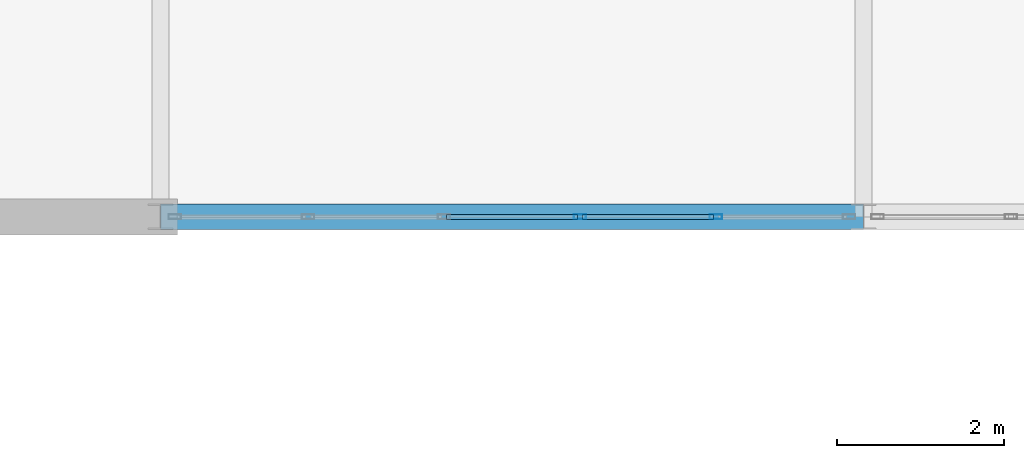
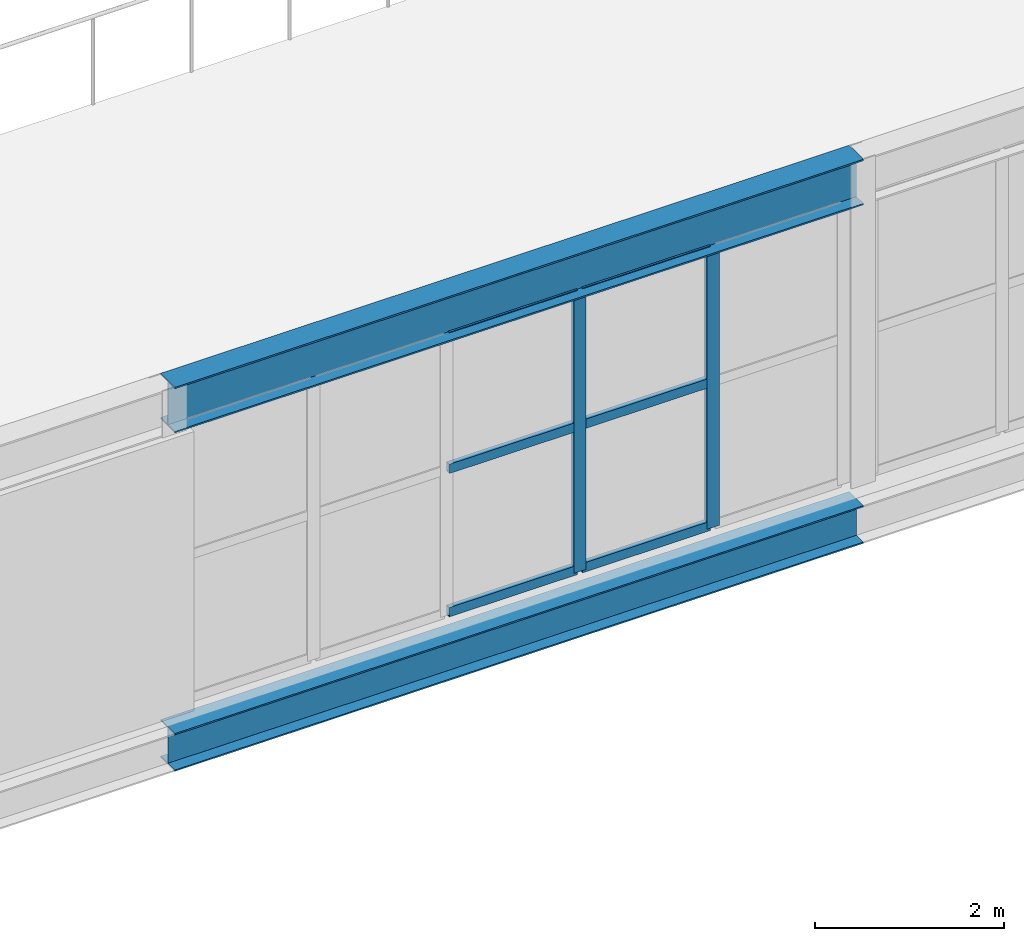
# One storey, part 101 of 218: 8 members, 2 beams, 1 element without a shape of its own.
"""IFC4 building model written with IfcOpenShell, lengths in metres."""

from ifc_helpers import new_model, si_unit, direction, frame, origin, origin_2d, place, context, subcontext, project, spatial, hollow_rectangle, i_section, extrude, material, material_profile, profile_set, type_object, element, aggregate, save


model = new_model("IFC4")

# Units and contexts
model_context = context("Model", 3, precision=1e-05, world=origin(), true_north=direction((0.0, 1.0)))
body_context = subcontext(model_context, "Body", "Model", "MODEL_VIEW")
ifc_project = project(units=[si_unit("LENGTHUNIT", "METRE"), si_unit("AREAUNIT", "SQUARE_METRE"), si_unit("VOLUMEUNIT", "CUBIC_METRE"), si_unit("PLANEANGLEUNIT", "RADIAN"), si_unit("MASSUNIT", "GRAM", prefix="KILO")], contexts=[model_context])

# Site, building, storey
site_placement = place(None, origin())
site = spatial("IfcSite", under=ifc_project, at=site_placement, CompositionType="ELEMENT")
building_placement = place(site_placement, origin())
building = spatial("IfcBuilding", under=site, at=building_placement, Name="Kazenagashi Tramway Depot", CompositionType="ELEMENT")
storey_placement = place(building_placement, frame((0.0, 0.0, 6.0)))
storey = spatial("IfcBuildingStorey", under=building, at=storey_placement, Name="L02", CompositionType="ELEMENT", Elevation=6.0)

# Curtain wall, members
ifc_material_1 = material(Name="Anodised Aluminium and Low-E Glazing", Category="aluminium")
curtain_wall_type = type_object("IfcCurtainWallType", Name="CW-11", PredefinedType="USERDEFINED", material=ifc_material_1)
curtain_wall_placement = place(storey_placement, origin())
curtain_wall = element("IfcCurtainWall", 1, at=curtain_wall_placement, inside=storey, type_object=curtain_wall_type, Name="Industrial Glazed Screen CW-11 CW-0036", ObjectType="GLAZED SCREEN", PredefinedType="USERDEFINED")
ifc_material_2 = material(Name="Anodised Aluminium", Category="aluminium")
ifc_material_profile_1 = material_profile(ifc_material_2, hollow_rectangle(XDim=0.06, YDim=0.15, WallThickness=0.004, at=origin_2d()), Name="RHS-150x60x4")
ifc_profile_set_1 = profile_set([ifc_material_profile_1], Name="Anodised Aluminium")
member_type_1 = type_object("IfcMemberType", Name="ML-01", PredefinedType="MULLION", material=ifc_profile_set_1)
member_1_placement = place(storey_placement, frame((125.412, 70.0, 0.0), z_axis=(0.0, 0.0, 1.0), x_axis=(0.0, 1.0, 0.0)))
member_1 = element("IfcMember", 2, at=member_1_placement, type_object=member_type_1, Name="CW-11 mullion 4", PredefinedType="MULLION", context=body_context, shape_type="SweptSolid", body=[
    extrude(hollow_rectangle(XDim=0.06, YDim=0.15, WallThickness=0.004, at=origin_2d()), origin(), (0.0, 0.0, 1.0), 3.612),
])
member_2_placement = place(storey_placement, frame((127.036, 70.0, 0.0), z_axis=(0.0, 0.0, 1.0), x_axis=(0.0, 1.0, 0.0)))
member_2 = element("IfcMember", 3, at=member_2_placement, type_object=member_type_1, Name="CW-11 mullion 5", PredefinedType="MULLION", context=body_context, shape_type="SweptSolid", body=[
    extrude(hollow_rectangle(XDim=0.06, YDim=0.15, WallThickness=0.004, at=origin_2d()), origin(), (0.0, 0.0, 1.0), 3.612),
])

# Beams
ifc_material_3 = material(Name="Steel SN490B", Category="steel")
ifc_material_profile_2 = material_profile(ifc_material_3, i_section(OverallWidth=0.3, OverallDepth=0.588, WebThickness=0.012, FlangeThickness=0.02, at=origin_2d()), Name="H-588x300x12x20")
ifc_profile_set_2 = profile_set([ifc_material_profile_2], Name="Steel SN490B")
beam_type_1 = type_object("IfcBeamType", Name="SP-01", PredefinedType="SPANDREL", material=ifc_profile_set_2)
beam_1_placement = place(storey_placement, frame((120.4, 70.0, 3.906), z_axis=(1.0, 0.0, 0.0), x_axis=(0.0, 1.0, 0.0)))
element("IfcBeam", 4, at=beam_1_placement, inside=storey, type_object=beam_type_1, Name="Beam SP-01 BM-1853", PredefinedType="SPANDREL", context=body_context, shape_type="SweptSolid", body=[
    extrude(i_section(OverallWidth=0.3, OverallDepth=0.588, WebThickness=0.012, FlangeThickness=0.02, at=origin_2d()), origin(), (0.0, 0.0, 1.0), 8.4),
])
ifc_material_profile_3 = material_profile(ifc_material_3, i_section(OverallWidth=0.3, OverallDepth=0.488, WebThickness=0.011, FlangeThickness=0.018, at=origin_2d()), Name="H-488x300x11x18")
ifc_profile_set_3 = profile_set([ifc_material_profile_3], Name="Steel SN490B")
beam_type_2 = type_object("IfcBeamType", Name="SP-02", PredefinedType="SPANDREL", material=ifc_profile_set_3)
beam_2_placement = place(storey_placement, frame((120.4, 70.0, -0.509), z_axis=(1.0, 0.0, 0.0), x_axis=(0.0, 1.0, 0.0)))
element("IfcBeam", 5, at=beam_2_placement, inside=storey, type_object=beam_type_2, Name="Beam SP-02 BM-1710", PredefinedType="SPANDREL", context=body_context, shape_type="SweptSolid", body=[
    extrude(i_section(OverallWidth=0.3, OverallDepth=0.488, WebThickness=0.011, FlangeThickness=0.018, at=origin_2d()), origin(), (0.0, 0.0, 1.0), 8.4),
])

# Member
ifc_material_profile_4 = material_profile(ifc_material_2, hollow_rectangle(XDim=0.06, YDim=0.12, WallThickness=0.004, at=origin_2d()), Name="RHS-120x60x4")
ifc_profile_set_4 = profile_set([ifc_material_profile_4], Name="Anodised Aluminium")
member_type_2 = type_object("IfcMemberType", Name="TR-01", PredefinedType="USERDEFINED", material=ifc_profile_set_4)
member_3_placement = place(storey_placement, frame((123.818, 70.0, 0.03), z_axis=(1.0, 0.0, 0.0), x_axis=(0.0, 1.0, 0.0)))
member_3 = element("IfcMember", 6, at=member_3_placement, type_object=member_type_2, Name="CW-11 transom 3.1", ObjectType="TRANSOM", PredefinedType="USERDEFINED", context=body_context, shape_type="SweptSolid", body=[
    extrude(hollow_rectangle(XDim=0.06, YDim=0.12, WallThickness=0.004, at=origin_2d()), origin(), (0.0, 0.0, 1.0), 1.564),
])

member_4_placement = place(storey_placement, frame((123.818, 70.0, 1.878), z_axis=(1.0, 0.0, 0.0), x_axis=(0.0, 1.0, 0.0)))
member_4 = element("IfcMember", 7, at=member_4_placement, type_object=member_type_2, Name="CW-11 transom 3.2", ObjectType="TRANSOM", PredefinedType="USERDEFINED", context=body_context, shape_type="SweptSolid", body=[
    extrude(hollow_rectangle(XDim=0.06, YDim=0.12, WallThickness=0.004, at=origin_2d()), origin(), (0.0, 0.0, 1.0), 1.564),
])

member_5_placement = place(storey_placement, frame((123.818, 70.0, 3.582), z_axis=(1.0, 0.0, 0.0), x_axis=(0.0, 1.0, 0.0)))
member_5 = element("IfcMember", 8, at=member_5_placement, type_object=member_type_2, Name="CW-11 transom 3.3", ObjectType="TRANSOM", PredefinedType="USERDEFINED", context=body_context, shape_type="SweptSolid", body=[
    extrude(hollow_rectangle(XDim=0.06, YDim=0.12, WallThickness=0.004, at=origin_2d()), origin(), (0.0, 0.0, 1.0), 1.564),
])

member_6_placement = place(storey_placement, frame((125.442, 70.0, 0.03), z_axis=(1.0, 0.0, 0.0), x_axis=(0.0, 1.0, 0.0)))
member_6 = element("IfcMember", 9, at=member_6_placement, type_object=member_type_2, Name="CW-11 transom 4.1", ObjectType="TRANSOM", PredefinedType="USERDEFINED", context=body_context, shape_type="SweptSolid", body=[
    extrude(hollow_rectangle(XDim=0.06, YDim=0.12, WallThickness=0.004, at=origin_2d()), origin(), (0.0, 0.0, 1.0), 1.564),
])

member_7_placement = place(storey_placement, frame((125.442, 70.0, 1.878), z_axis=(1.0, 0.0, 0.0), x_axis=(0.0, 1.0, 0.0)))
member_7 = element("IfcMember", 10, at=member_7_placement, type_object=member_type_2, Name="CW-11 transom 4.2", ObjectType="TRANSOM", PredefinedType="USERDEFINED", context=body_context, shape_type="SweptSolid", body=[
    extrude(hollow_rectangle(XDim=0.06, YDim=0.12, WallThickness=0.004, at=origin_2d()), origin(), (0.0, 0.0, 1.0), 1.564),
])

member_8_placement = place(storey_placement, frame((125.442, 70.0, 3.582), z_axis=(1.0, 0.0, 0.0), x_axis=(0.0, 1.0, 0.0)))
member_8 = element("IfcMember", 11, at=member_8_placement, type_object=member_type_2, Name="CW-11 transom 4.3", ObjectType="TRANSOM", PredefinedType="USERDEFINED", context=body_context, shape_type="SweptSolid", body=[
    extrude(hollow_rectangle(XDim=0.06, YDim=0.12, WallThickness=0.004, at=origin_2d()), origin(), (0.0, 0.0, 1.0), 1.564),
])

aggregate(curtain_wall, [member_1, member_2, member_3, member_4, member_5, member_6, member_7, member_8])

save(model, "model.ifc")
